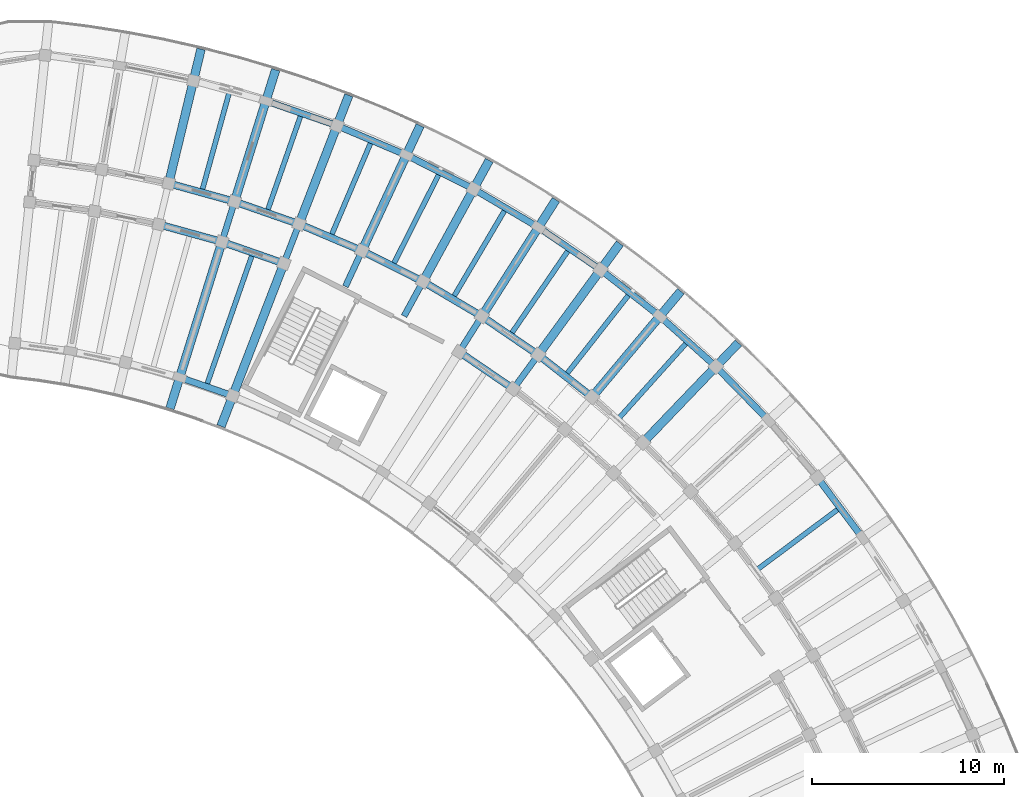
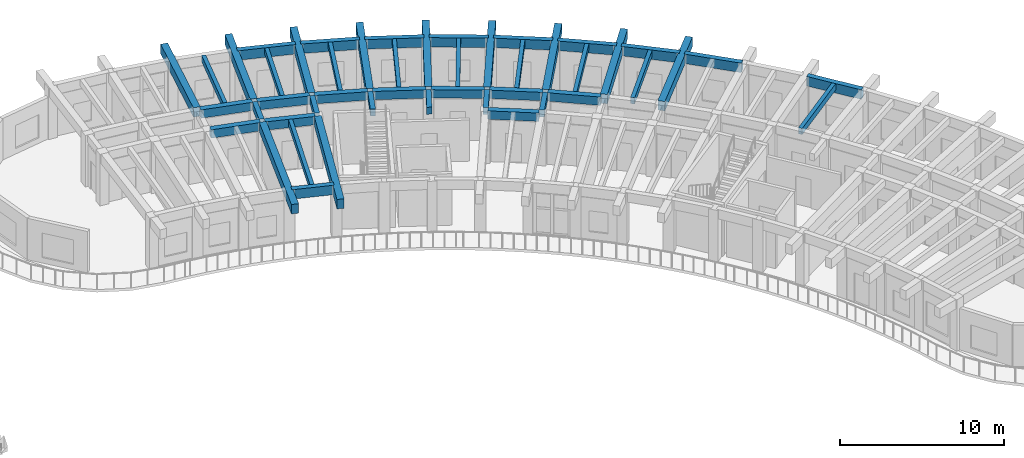
# One storey, part 64 of 128: 47 beams.
"""IFC4 building model written with IfcOpenShell, lengths in metres."""

from ifc_helpers import new_model, si_unit, direction, frame, origin, origin_2d, place, context, subcontext, project, spatial, rectangle, extrude, material, material_profile, profile_set, type_object, element, save


model = new_model("IFC4")

# Units and contexts
model_context = context("Model", 3, precision=1e-05, world=origin(), true_north=direction((0.0, 1.0)))
body_context = subcontext(model_context, "Body", "Model", "MODEL_VIEW")
ifc_project = project(units=[si_unit("LENGTHUNIT", "METRE"), si_unit("AREAUNIT", "SQUARE_METRE"), si_unit("VOLUMEUNIT", "CUBIC_METRE"), si_unit("PLANEANGLEUNIT", "RADIAN"), si_unit("MASSUNIT", "GRAM", prefix="KILO")], contexts=[model_context])

# Site, building, storey
site_placement = place(None, origin())
site = spatial("IfcSite", under=ifc_project, at=site_placement, CompositionType="ELEMENT")
building_placement = place(site_placement, origin())
building = spatial("IfcBuilding", under=site, at=building_placement, Name="Tanwirah Colonnade Gardens", CompositionType="ELEMENT")
storey_placement = place(building_placement, frame((0.0, 0.0, 4.760009765625)))
storey = spatial("IfcBuildingStorey", under=building, at=storey_placement, Name="L01", CompositionType="ELEMENT", Elevation=4.760009765625)

# Beams
ifc_material_1 = material(Name="Precast concrete C40/50", Category="concrete")
ifc_material_profile_1 = material_profile(ifc_material_1, rectangle(XDim=0.320068359375, YDim=0.52001953125, at=origin_2d()), Name="PC-BM 320x520")
ifc_profile_set_1 = profile_set([ifc_material_profile_1], Name="Precast concrete C40/50")
beam_type_1 = type_object("IfcBeamType", Name="BM-PC320", PredefinedType="BEAM", material=ifc_profile_set_1)
beam_1_placement = place(storey_placement, frame((151.727783203125, 102.14990234375, 3.56494140625), z_axis=(0.590895676149, 0.806747977939, 0.0), x_axis=(-0.806747977939, 0.590895676149, 0.0)))
element("IfcBeam", 1, at=beam_1_placement, inside=storey, type_object=beam_type_1, Name="Block B L01 Corridor Tie Beam 10", PredefinedType="BEAM", context=body_context, shape_type="SweptSolid", body=[
    extrude(rectangle(XDim=0.320068359375, YDim=0.52001953125, at=origin_2d()), origin(), (0.0, 0.0, 1.0), 1.900146484375),
])
for number, where, z_axis, x_axis, name in (
    (2, (148.89697265625, 104.08349609375, 3.56494140625), (0.536509579595, 0.843894229749, 0.0), (-0.843894229749, 0.536509579595, 0.0), "Block B L01 Corridor Tie Beam 11"),
    (3, (145.945068359375, 105.826171875, 3.56494140625), (0.479707235792, 0.877428611301, 0.0), (-0.877428611301, 0.479707235792, 0.0), "Block B L01 Corridor Tie Beam 12"),
    (4, (142.884765625, 107.37060546875, 3.56494140625), (0.420858322681, 0.90712638162, 0.0), (-0.90712638162, 0.420858322681, 0.0), "Block B L01 Corridor Tie Beam 13"),
    (5, (139.729248046875, 108.7099609375, 3.56494140625), (0.360175656082, 0.932884503444, 0.0), (-0.932884503444, 0.360175656082, 0.0), "Block B L01 Corridor Tie Beam 14"),
    (6, (136.492431640625, 109.838623046875, 3.56494140625), (0.297857918398, 0.954610213882, 0.0), (-0.954610213882, 0.297857918398, 0.0), "Block B L01 Corridor Tie Beam 15"),
):
    element("IfcBeam", number, at=place(storey_placement, frame(where, z_axis=z_axis, x_axis=x_axis)), inside=storey, type_object=beam_type_1, Name=name, PredefinedType="BEAM", context=body_context, shape_type="SweptSolid", body=[
        extrude(rectangle(XDim=0.320068359375, YDim=0.52001953125, at=origin_2d()), origin(), (0.0, 0.0, 1.0), 1.89990234375),
    ])
ifc_material_profile_2 = material_profile(ifc_material_1, rectangle(XDim=0.3798828125, YDim=0.6201171875, at=origin_2d()), Name="PC-BM 380x620")
ifc_profile_set_2 = profile_set([ifc_material_profile_2], Name="Precast concrete C40/50")
beam_type_2 = type_object("IfcBeamType", Name="BM-PC380", PredefinedType="BEAM", material=ifc_profile_set_2)
beam_2_placement = place(storey_placement, frame((155.624755859375, 101.697265625, 3.514892578125), z_axis=(-0.786839882256, 0.617157192044, 0.0), x_axis=(-0.617157192044, -0.786839882256, 0.0)))
element("IfcBeam", 7, at=beam_2_placement, inside=storey, type_object=beam_type_2, Name="Block B L01 Circumferential Beam 9-R2", PredefinedType="BEAM", context=body_context, shape_type="SweptSolid", body=[
    extrude(rectangle(XDim=0.3798828125, YDim=0.6201171875, at=origin_2d()), origin(), (0.0, 0.0, 1.0), 3.26318359375),
])
beam_3_placement = place(storey_placement, frame((151.515380859375, 102.113525390625, 3.514892578125), z_axis=(-0.825758291455, 0.564024152047, 0.0), x_axis=(-0.564024152047, -0.825758291455, 0.0)))
element("IfcBeam", 8, at=beam_3_placement, inside=storey, type_object=beam_type_2, Name="Block B L01 Circumferential Beam 10-R1", PredefinedType="BEAM", context=body_context, shape_type="SweptSolid", body=[
    extrude(rectangle(XDim=0.3798828125, YDim=0.6201171875, at=origin_2d()), origin(), (0.0, 0.0, 1.0), 3.118408203125),
])
for number, where, z_axis, x_axis, name in (
    (9, (152.815185546875, 103.888427734375, 3.514892578125), (-0.825782284145, 0.563989024, 0.0), (-0.563989024, -0.825782284145, 0.0), "Block B L01 Circumferential Beam 10-R2"),
    (10, (149.86767578125, 105.8896484375, 3.514892578125), (-0.861134978964, 0.508376384193, 0.0), (-0.508376384193, -0.861134978964, 0.0), "Block B L01 Circumferential Beam 11-R2"),
    (11, (146.794677734375, 107.6923828125, 3.514892578125), (-0.89276014323, 0.450532270387, 0.0), (-0.450532270387, -0.89276014323, 0.0), "Block B L01 Circumferential Beam 12-R2"),
):
    element("IfcBeam", number, at=place(storey_placement, frame(where, z_axis=z_axis, x_axis=x_axis)), inside=storey, type_object=beam_type_2, Name=name, PredefinedType="BEAM", context=body_context, shape_type="SweptSolid", body=[
        extrude(rectangle(XDim=0.3798828125, YDim=0.6201171875, at=origin_2d()), origin(), (0.0, 0.0, 1.0), 3.26318359375),
    ])
beam_4_placement = place(storey_placement, frame((143.609375, 109.288818359375, 3.514892578125), z_axis=(-0.920513294115, 0.390711242938, 0.0), x_axis=(-0.390711242938, -0.920513294115, 0.0)))
element("IfcBeam", 12, at=beam_4_placement, inside=storey, type_object=beam_type_2, Name="Block B L01 Circumferential Beam 13-R2", PredefinedType="BEAM", context=body_context, shape_type="SweptSolid", body=[
    extrude(rectangle(XDim=0.3798828125, YDim=0.6201171875, at=origin_2d()), origin(), (0.0, 0.0, 1.0), 3.262939453125),
])
beam_5_placement = place(storey_placement, frame((139.53369140625, 108.619384765625, 3.514892578125), z_axis=(-0.944248304077, 0.329234172358, 0.0), x_axis=(-0.329234172358, -0.944248304077, 0.0)))
element("IfcBeam", 13, at=beam_5_placement, inside=storey, type_object=beam_type_2, Name="Block B L01 Circumferential Beam 14-R1", PredefinedType="BEAM", context=body_context, shape_type="SweptSolid", body=[
    extrude(rectangle(XDim=0.3798828125, YDim=0.6201171875, at=origin_2d()), origin(), (0.0, 0.0, 1.0), 3.1181640625),
])
beam_6_placement = place(storey_placement, frame((140.325927734375, 110.671630859375, 3.514892578125), z_axis=(-0.944231021702, 0.329283734272, 0.0), x_axis=(-0.329283734272, -0.944231021702, 0.0)))
element("IfcBeam", 14, at=beam_6_placement, inside=storey, type_object=beam_type_2, Name="Block B L01 Circumferential Beam 14-R2", PredefinedType="BEAM", context=body_context, shape_type="SweptSolid", body=[
    extrude(rectangle(XDim=0.3798828125, YDim=0.6201171875, at=origin_2d()), origin(), (0.0, 0.0, 1.0), 3.262939453125),
])
beam_7_placement = place(storey_placement, frame((136.302978515625, 109.7353515625, 3.514892578125), z_axis=(-0.963889412906, 0.266302834548, 0.0), x_axis=(-0.266302834548, -0.963889412906, 0.0)))
element("IfcBeam", 15, at=beam_7_placement, inside=storey, type_object=beam_type_2, Name="Block B L01 Circumferential Beam 15-R1", PredefinedType="BEAM", context=body_context, shape_type="SweptSolid", body=[
    extrude(rectangle(XDim=0.3798828125, YDim=0.6201171875, at=origin_2d()), origin(), (0.0, 0.0, 1.0), 3.117919921875),
])
beam_8_placement = place(storey_placement, frame((136.95849609375, 111.83544921875, 3.514892578125), z_axis=(-0.9638953302, 0.266281415833, 0.0), x_axis=(-0.266281415833, -0.9638953302, 0.0)))
element("IfcBeam", 16, at=beam_8_placement, inside=storey, type_object=beam_type_2, Name="Block B L01 Circumferential Beam 15-R2", PredefinedType="BEAM", context=body_context, shape_type="SweptSolid", body=[
    extrude(rectangle(XDim=0.3798828125, YDim=0.6201171875, at=origin_2d()), origin(), (0.0, 0.0, 1.0), 3.26318359375),
])
ifc_material_2 = material(Name="Precast concrete C45/55", Category="concrete")
ifc_material_profile_3 = material_profile(ifc_material_2, rectangle(XDim=0.449951171875, YDim=0.699951171875, at=origin_2d()), Name="PC-BM 450x700")
ifc_profile_set_3 = profile_set([ifc_material_profile_3], Name="Precast concrete C45/55")
beam_type_3 = type_object("IfcBeamType", Name="BM-PC450", PredefinedType="BEAM", material=ifc_profile_set_3)
beam_9_placement = place(storey_placement, frame((158.4990234375, 99.333984375, 3.47509765625), z_axis=(0.691864746793, 0.722027127015, 0.0), x_axis=(-0.722027127015, 0.691864746793, 0.0)))
element("IfcBeam", 17, at=beam_9_placement, inside=storey, type_object=beam_type_3, Name="Block B L01 Outer Radial Precast Girder 8", PredefinedType="BEAM", context=body_context, shape_type="SweptSolid", body=[
    extrude(rectangle(XDim=0.449951171875, YDim=0.699951171875, at=origin_2d()), origin(), (0.0, 0.0, 1.0), 7.050048828125),
])
beam_10_placement = place(storey_placement, frame((155.839111328125, 101.7197265625, 3.47509765625), z_axis=(0.642810291951, 0.766025409867, 0.0), x_axis=(-0.766025409867, 0.642810291951, 0.0)))
element("IfcBeam", 18, at=beam_10_placement, inside=storey, type_object=beam_type_3, Name="Block B L01 Outer Radial Precast Girder 9", PredefinedType="BEAM", context=body_context, shape_type="SweptSolid", body=[
    extrude(rectangle(XDim=0.449951171875, YDim=0.699951171875, at=origin_2d()), origin(), (0.0, 0.0, 1.0), 7.0498046875),
])
for number, where, z_axis, x_axis, name in (
    (19, (153.02783203125, 103.9248046875, 3.47509765625), (0.590919194225, 0.806730751798, 0.0), (-0.806730751798, 0.590919194225, 0.0), "Block B L01 Outer Radial Precast Girder 10"),
    (20, (150.077392578125, 105.93994140625, 3.47509765625), (0.536451921133, 0.843930883611, 0.0), (-0.843930883611, 0.536451921133, 0.0), "Block B L01 Outer Radial Precast Girder 11"),
    (21, (147.00048828125, 107.75634765625, 3.47509765625), (0.479686549155, 0.877439920769, 0.0), (-0.877439920769, 0.479686549155, 0.0), "Block B L01 Outer Radial Precast Girder 12"),
    (22, (143.810546875, 109.3662109375, 3.47509765625), (0.420855908645, 0.9071275016, 0.0), (-0.9071275016, 0.420855908645, 0.0), "Block B L01 Outer Radial Precast Girder 13"),
):
    element("IfcBeam", number, at=place(storey_placement, frame(where, z_axis=z_axis, x_axis=x_axis)), inside=storey, type_object=beam_type_3, Name=name, PredefinedType="BEAM", context=body_context, shape_type="SweptSolid", body=[
        extrude(rectangle(XDim=0.449951171875, YDim=0.699951171875, at=origin_2d()), origin(), (0.0, 0.0, 1.0), 7.050048828125),
    ])
beam_11_placement = place(storey_placement, frame((139.62109375, 108.43017578125, 3.47509765625), z_axis=(-0.360155980892, -0.932892099563, 0.0), x_axis=(0.932892099563, -0.360155980892, 0.0)))
element("IfcBeam", 23, at=beam_11_placement, inside=storey, type_object=beam_type_3, Name="Block B L01 Inner Radial Precast Girder 14", PredefinedType="BEAM", context=body_context, shape_type="SweptSolid", body=[
    extrude(rectangle(XDim=0.449951171875, YDim=0.699951171875, at=origin_2d()), origin(), (0.0, 0.0, 1.0), 8.949951171875),
])
beam_12_placement = place(storey_placement, frame((140.521728515625, 110.76220703125, 3.47509765625), z_axis=(0.360150678391, 0.932894146651, 0.0), x_axis=(-0.932894146651, 0.360150678391, 0.0)))
element("IfcBeam", 24, at=beam_12_placement, inside=storey, type_object=beam_type_3, Name="Block B L01 Outer Radial Precast Girder 14", PredefinedType="BEAM", context=body_context, shape_type="SweptSolid", body=[
    extrude(rectangle(XDim=0.449951171875, YDim=0.699951171875, at=origin_2d()), origin(), (0.0, 0.0, 1.0), 7.050048828125),
])
beam_13_placement = place(storey_placement, frame((136.403076171875, 109.55224609375, 3.47509765625), z_axis=(-0.29792861283, -0.9545881529, 0.0), x_axis=(0.9545881529, -0.29792861283, 0.0)))
element("IfcBeam", 25, at=beam_13_placement, inside=storey, type_object=beam_type_3, Name="Block B L01 Inner Radial Precast Girder 15", PredefinedType="BEAM", context=body_context, shape_type="SweptSolid", body=[
    extrude(rectangle(XDim=0.449951171875, YDim=0.699951171875, at=origin_2d()), origin(), (0.0, 0.0, 1.0), 8.9501953125),
])
beam_14_placement = place(storey_placement, frame((137.147705078125, 111.938720703125, 3.47509765625), z_axis=(0.297957513373, 0.954579132511, 0.0), x_axis=(-0.954579132511, 0.297957513373, 0.0)))
element("IfcBeam", 26, at=beam_14_placement, inside=storey, type_object=beam_type_3, Name="Block B L01 Outer Radial Precast Girder 15", PredefinedType="BEAM", context=body_context, shape_type="SweptSolid", body=[
    extrude(rectangle(XDim=0.449951171875, YDim=0.699951171875, at=origin_2d()), origin(), (0.0, 0.0, 1.0), 7.050048828125),
])
beam_15_placement = place(storey_placement, frame((133.703857421875, 112.89013671875, 3.47509765625), z_axis=(0.234378734126, 0.972145364125, 0.0), x_axis=(-0.972145364125, 0.234378734126, 0.0)))
element("IfcBeam", 27, at=beam_15_placement, inside=storey, type_object=beam_type_3, Name="Block B L01 Outer Radial Precast Girder 16", PredefinedType="BEAM", context=body_context, shape_type="SweptSolid", body=[
    extrude(rectangle(XDim=0.449951171875, YDim=0.699951171875, at=origin_2d()), origin(), (0.0, 0.0, 1.0), 7.0498046875),
])
ifc_material_profile_4 = material_profile(ifc_material_1, rectangle(XDim=0.260009765625, YDim=0.4599609375, at=origin_2d()), Name="PC-JST 260x460")
ifc_profile_set_4 = profile_set([ifc_material_profile_4], Name="Precast concrete C40/50")
beam_type_4 = type_object("IfcBeamType", Name="JST-PC260", PredefinedType="JOIST", material=ifc_profile_set_4)
for number, where, z_axis, x_axis, name in (
    (28, (164.38818359375, 92.63232421875, 3.594970703125), (0.800973647215, 0.598699604533, 0.0), (-0.598699604533, 0.800973647215, 0.0), "Block B L01 Precast Floor Joist 5"),
    (29, (157.168701171875, 100.5263671875, 3.594970703125), (0.667678987176, 0.744449306591, 0.0), (-0.744449306591, 0.667678987176, 0.0), "Block B L01 Precast Floor Joist 8"),
    (30, (154.43310546875, 102.82177734375, 3.594970703125), (0.617177687243, 0.786823806433, 0.0), (-0.786823806433, 0.617177687243, 0.0), "Block B L01 Precast Floor Joist 9"),
    (31, (151.55224609375, 104.931884765625, 3.594970703125), (0.563973225998, 0.825793073571, 0.0), (-0.825793073571, 0.563973225998, 0.0), "Block B L01 Precast Floor Joist 10"),
):
    element("IfcBeam", number, at=place(storey_placement, frame(where, z_axis=z_axis, x_axis=x_axis)), inside=storey, type_object=beam_type_4, Name=name, PredefinedType="JOIST", context=body_context, shape_type="SweptSolid", body=[
        extrude(rectangle(XDim=0.260009765625, YDim=0.4599609375, at=origin_2d()), origin(), (0.0, 0.0, 1.0), 5.260009765625),
    ])
for number, where, z_axis, x_axis, name in (
    (32, (148.53857421875, 106.84765625, 3.594970703125), (0.508360236823, 0.86114451146, 0.0), (-0.86114451146, 0.508360236823, 0.0), "Block B L01 Precast Floor Joist 11"),
    (33, (145.4052734375, 108.560791015625, 3.594970703125), (0.450533699488, 0.892759422031, 0.0), (-0.892759422031, 0.450533699488, 0.0), "Block B L01 Precast Floor Joist 12"),
):
    element("IfcBeam", number, at=place(storey_placement, frame(where, z_axis=z_axis, x_axis=x_axis)), inside=storey, type_object=beam_type_4, Name=name, PredefinedType="JOIST", context=body_context, shape_type="SweptSolid", body=[
        extrude(rectangle(XDim=0.260009765625, YDim=0.4599609375, at=origin_2d()), origin(), (0.0, 0.0, 1.0), 5.26025390625),
    ])
for number, where, z_axis, x_axis, name in (
    (34, (142.166015625, 110.063720703125, 3.594970703125), (0.390723870106, 0.92050793442, 0.0), (-0.92050793442, 0.390723870106, 0.0), "Block B L01 Precast Floor Joist 13"),
    (35, (138.83447265625, 111.349853515625, 3.594970703125), (0.3292586038, 0.944239785131, 0.0), (-0.944239785131, 0.3292586038, 0.0), "Block B L01 Precast Floor Joist 14"),
):
    element("IfcBeam", number, at=place(storey_placement, frame(where, z_axis=z_axis, x_axis=x_axis)), inside=storey, type_object=beam_type_4, Name=name, PredefinedType="JOIST", context=body_context, shape_type="SweptSolid", body=[
        extrude(rectangle(XDim=0.260009765625, YDim=0.4599609375, at=origin_2d()), origin(), (0.0, 0.0, 1.0), 5.260009765625),
    ])
beam_16_placement = place(storey_placement, frame((135.673828125, 102.28515625, 3.594970703125), z_axis=(0.329250558112, 0.944242590642, 0.0), x_axis=(-0.944242590642, 0.329250558112, 0.0)))
element("IfcBeam", 36, at=beam_16_placement, inside=storey, type_object=beam_type_4, Name="Block B L01 Inner Precast Floor Joist 14", PredefinedType="JOIST", context=body_context, shape_type="SweptSolid", body=[
    extrude(rectangle(XDim=0.260009765625, YDim=0.4599609375, at=origin_2d()), origin(), (0.0, 0.0, 1.0), 7.159912109375),
])
beam_17_placement = place(storey_placement, frame((135.42578125, 112.413818359375, 3.594970703125), z_axis=(0.266281476085, 0.963895313555, 0.0), x_axis=(-0.963895313555, 0.266281476085, 0.0)))
element("IfcBeam", 37, at=beam_17_placement, inside=storey, type_object=beam_type_4, Name="Block B L01 Precast Floor Joist 15", PredefinedType="JOIST", context=body_context, shape_type="SweptSolid", body=[
    extrude(rectangle(XDim=0.260009765625, YDim=0.4599609375, at=origin_2d()), origin(), (0.0, 0.0, 1.0), 5.260009765625),
])
ifc_material_profile_5 = material_profile(ifc_material_2, rectangle(XDim=0.340087890625, YDim=0.699951171875, at=origin_2d()), Name="PC-SP 340x700")
ifc_profile_set_5 = profile_set([ifc_material_profile_5], Name="Precast concrete C45/55")
beam_type_5 = type_object("IfcBeamType", Name="SP-PC340", PredefinedType="SPANDREL", material=ifc_profile_set_5)
beam_18_placement = place(storey_placement, frame((169.7568359375, 94.382080078125, 3.47509765625), z_axis=(-0.598695554058, 0.800976674786, 0.0), x_axis=(-0.800976674786, -0.598695554058, 0.0)))
element("IfcBeam", 38, at=beam_18_placement, inside=storey, type_object=beam_type_5, Name="Block B L01 Circumferential Beam 5-R3", PredefinedType="SPANDREL", context=body_context, shape_type="SweptSolid", body=[
    extrude(rectangle(XDim=0.340087890625, YDim=0.699951171875, at=origin_2d()), origin(), (0.0, 0.0, 1.0), 3.625732421875),
])
beam_19_placement = place(storey_placement, frame((164.839111328125, 100.49609375, 3.47509765625), z_axis=(-0.698844493997, 0.715273635199, 0.0), x_axis=(-0.715273635199, -0.698844493997, 0.0)))
element("IfcBeam", 39, at=beam_19_placement, inside=storey, type_object=beam_type_5, Name="Block B L01 Circumferential Beam 7-R3", PredefinedType="SPANDREL", context=body_context, shape_type="SweptSolid", body=[
    extrude(rectangle(XDim=0.340087890625, YDim=0.699951171875, at=origin_2d()), origin(), (0.0, 0.0, 1.0), 3.6259765625),
])
beam_20_placement = place(storey_placement, frame((162.0888671875, 103.296875, 3.47509765625), z_axis=(-0.744444790955, 0.667684021989, 0.0), x_axis=(-0.667684021989, -0.744444790955, 0.0)))
element("IfcBeam", 40, at=beam_20_placement, inside=storey, type_object=beam_type_5, Name="Block B L01 Circumferential Beam 8-R3", PredefinedType="SPANDREL", context=body_context, shape_type="SweptSolid", body=[
    extrude(rectangle(XDim=0.340087890625, YDim=0.699951171875, at=origin_2d()), origin(), (0.0, 0.0, 1.0), 3.625732421875),
])
beam_21_placement = place(storey_placement, frame((159.159912109375, 105.91064453125, 3.47509765625), z_axis=(-0.786843799845, 0.617152197311, 0.0), x_axis=(-0.617152197311, -0.786843799845, 0.0)))
element("IfcBeam", 41, at=beam_21_placement, inside=storey, type_object=beam_type_5, Name="Block B L01 Circumferential Beam 9-R3", PredefinedType="SPANDREL", context=body_context, shape_type="SweptSolid", body=[
    extrude(rectangle(XDim=0.340087890625, YDim=0.699951171875, at=origin_2d()), origin(), (0.0, 0.0, 1.0), 3.62548828125),
])
for number, where, z_axis, x_axis, name in (
    (42, (156.0654296875, 108.325439453125, 3.47509765625), (-0.825782625102, 0.563988524776, 0.0), (-0.563988524776, -0.825782625102, 0.0), "Block B L01 Circumferential Beam 10-R3"),
    (43, (152.818359375, 110.53125, 3.47509765625), (-0.861136912545, 0.5083731089, 0.0), (-0.5083731089, -0.861136912545, 0.0), "Block B L01 Circumferential Beam 11-R3"),
):
    element("IfcBeam", number, at=place(storey_placement, frame(where, z_axis=z_axis, x_axis=x_axis)), inside=storey, type_object=beam_type_5, Name=name, PredefinedType="SPANDREL", context=body_context, shape_type="SweptSolid", body=[
        extrude(rectangle(XDim=0.340087890625, YDim=0.699951171875, at=origin_2d()), origin(), (0.0, 0.0, 1.0), 3.625732421875),
    ])
beam_22_placement = place(storey_placement, frame((149.43310546875, 112.518310546875, 3.47509765625), z_axis=(-0.892764670911, 0.450523298368, 0.0), x_axis=(-0.450523298368, -0.892764670911, 0.0)))
element("IfcBeam", 44, at=beam_22_placement, inside=storey, type_object=beam_type_5, Name="Block B L01 Circumferential Beam 12-R3", PredefinedType="SPANDREL", context=body_context, shape_type="SweptSolid", body=[
    extrude(rectangle(XDim=0.340087890625, YDim=0.699951171875, at=origin_2d()), origin(), (0.0, 0.0, 1.0), 3.6259765625),
])
beam_23_placement = place(storey_placement, frame((145.924072265625, 114.27783203125, 3.47509765625), z_axis=(-0.920494456807, 0.390755620545, 0.0), x_axis=(-0.390755620545, -0.920494456807, 0.0)))
element("IfcBeam", 45, at=beam_23_placement, inside=storey, type_object=beam_type_5, Name="Block B L01 Circumferential Beam 13-R3", PredefinedType="SPANDREL", context=body_context, shape_type="SweptSolid", body=[
    extrude(rectangle(XDim=0.340087890625, YDim=0.699951171875, at=origin_2d()), origin(), (0.0, 0.0, 1.0), 3.625732421875),
])
beam_24_placement = place(storey_placement, frame((136.8681640625, 101.716064453125, 3.47509765625), z_axis=(-0.944249847334, 0.32922974624, 0.0), x_axis=(-0.32922974624, -0.944249847334, 0.0)))
element("IfcBeam", 46, at=beam_24_placement, inside=storey, type_object=beam_type_5, Name="Block B L01 Circumferential Beam 14-R0", PredefinedType="SPANDREL", context=body_context, shape_type="SweptSolid", body=[
    extrude(rectangle(XDim=0.340087890625, YDim=0.699951171875, at=origin_2d()), origin(), (0.0, 0.0, 1.0), 2.63037109375),
])
beam_25_placement = place(storey_placement, frame((142.306884765625, 115.802490234375, 3.47509765625), z_axis=(-0.944236700093, 0.329267450863, 0.0), x_axis=(-0.329267450863, -0.944236700093, 0.0)))
element("IfcBeam", 47, at=beam_25_placement, inside=storey, type_object=beam_type_5, Name="Block B L01 Circumferential Beam 14-R3", PredefinedType="SPANDREL", context=body_context, shape_type="SweptSolid", body=[
    extrude(rectangle(XDim=0.340087890625, YDim=0.699951171875, at=origin_2d()), origin(), (0.0, 0.0, 1.0), 3.625732421875),
])

save(model, "model.ifc")
